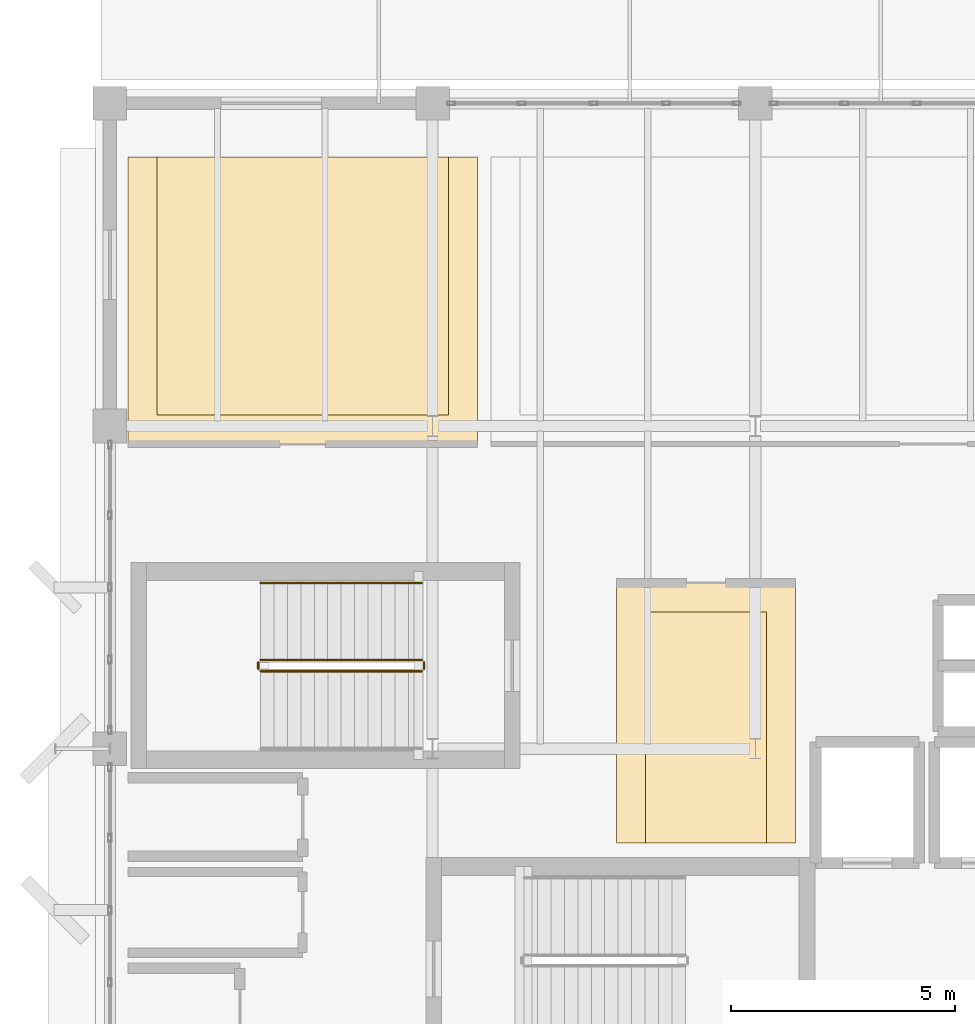
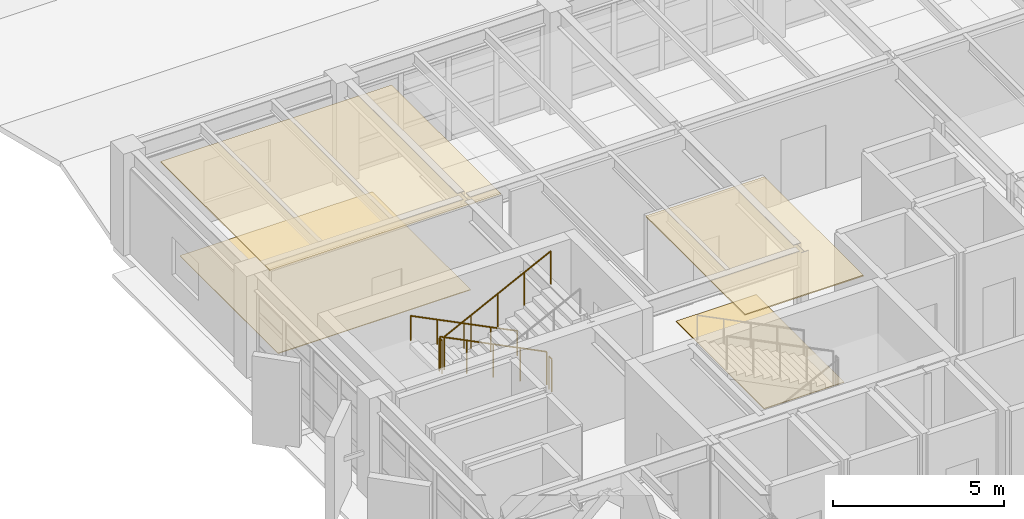
# One storey, part 45 of 48: 5 railings, 4 coverings.
"""IFC4 building model written with IfcOpenShell, lengths in metres."""

from ifc_helpers import new_model, si_unit, direction, frame, origin, origin_2d, place, context, subcontext, project, spatial, polyline, circle, outline, extrude, material, layer, layer_set, type_object, element, save


model = new_model("IFC4")

# Units and contexts
model_context = context("Model", 3, precision=1e-05, world=origin(), true_north=direction((0.0, 1.0)))
body_context = subcontext(model_context, "Body", "Model", "MODEL_VIEW")
ifc_project = project(units=[si_unit("LENGTHUNIT", "METRE"), si_unit("AREAUNIT", "SQUARE_METRE"), si_unit("VOLUMEUNIT", "CUBIC_METRE"), si_unit("PLANEANGLEUNIT", "RADIAN"), si_unit("MASSUNIT", "GRAM", prefix="KILO")], contexts=[model_context])

# Site, building, storey
site_placement = place(None, origin())
site = spatial("IfcSite", under=ifc_project, at=site_placement, CompositionType="ELEMENT")
building_placement = place(site_placement, origin())
building = spatial("IfcBuilding", under=site, at=building_placement, Name="Kandorven Conservatory and Botanical Research Centre", CompositionType="ELEMENT")
storey_placement = place(building_placement, frame((0.0, 0.0, 13.199951171875)))
storey = spatial("IfcBuildingStorey", under=building, at=storey_placement, Name="L03", CompositionType="ELEMENT", Elevation=13.199951171875)

# Coverings
ifc_material_1 = material(Name="Perforated mineral-fibre acoustic ceiling tile", Category="gypsum")
ifc_layer_1 = layer(ifc_material_1, 0.0400390625)
ifc_layer_set_1 = layer_set([ifc_layer_1], Name="Perforated mineral-fibre acoustic ceiling tile")
covering_type_1 = type_object("IfcCoveringType", Name="Cov_Ceiling_1", PredefinedType="CEILING", material=ifc_layer_set_1)
covering_1_placement = place(storey_placement, frame((0.0, 0.0, 3.574951171875)))
element("IfcCovering", 1, at=covering_1_placement, inside=storey, type_object=covering_type_1, Name="Suspended acoustic ceiling CLG-01 (Botanical Specimen Preparation Laboratory L03)", PredefinedType="CEILING", context=body_context, shape_type="SweptSolid", body=[
    extrude(outline(polyline([(17.300048828125, 18.300048828125), (21.300048828125, 18.300048828125), (21.300048828125, 24.10009765625), (17.300048828125, 24.10009765625), (17.300048828125, 18.300048828125)])), origin(), (0.0, 0.0, 1.0), 0.0400390625),
])
covering_2_placement = place(storey_placement, frame((0.0, 0.0, 3.574951171875)))
element("IfcCovering", 2, at=covering_2_placement, inside=storey, type_object=covering_type_1, Name="Suspended acoustic ceiling CLG-01 (Ethnobotany Field Specimen Studio L03)", PredefinedType="CEILING", context=body_context, shape_type="SweptSolid", body=[
    extrude(outline(polyline([(6.39990234375, 27.199951171875), (14.199951171875, 27.199951171875), (14.199951171875, 33.60009765625), (6.39990234375, 33.60009765625), (6.39990234375, 27.199951171875)])), origin(), (0.0, 0.0, 1.0), 0.0400390625),
])
ifc_material_2 = material(Name="Honed Kota stone and epoxy laboratory flooring", Category="masonry")
ifc_layer_2 = layer(ifc_material_2, 0.02490234375)
ifc_layer_set_2 = layer_set([ifc_layer_2], Name="Honed Kota stone and epoxy laboratory flooring")
covering_type_2 = type_object("IfcCoveringType", Name="Cov_Flooring_1", PredefinedType="FLOORING", material=ifc_layer_set_2)
covering_3_placement = place(storey_placement, origin())
element("IfcCovering", 3, at=covering_3_placement, inside=storey, type_object=covering_type_2, Name="Floor finish FLR-01 (Botanical Specimen Preparation Laboratory L03)", PredefinedType="FLOORING", context=body_context, shape_type="SweptSolid", body=[
    extrude(outline(polyline([(17.949951171875, 18.300048828125), (20.64990234375, 18.300048828125), (20.64990234375, 23.449951171875), (17.949951171875, 23.449951171875), (17.949951171875, 18.300048828125)])), origin(), (0.0, 0.0, 1.0), 0.025146484375),
])
covering_4_placement = place(storey_placement, origin())
element("IfcCovering", 4, at=covering_4_placement, inside=storey, type_object=covering_type_2, Name="Floor finish FLR-01 (Ethnobotany Field Specimen Studio L03)", PredefinedType="FLOORING", context=body_context, shape_type="SweptSolid", body=[
    extrude(outline(polyline([(7.050048828125, 27.85009765625), (13.550048828125, 27.85009765625), (13.550048828125, 33.60009765625), (7.050048828125, 33.60009765625), (7.050048828125, 27.85009765625)])), origin(), (0.0, 0.0, 1.0), 0.025146484375),
])

# Railings
ifc_material_3 = material(Name="Steel S355 (IS 2062 E350)", Category="steel")
railing_type_1 = type_object("IfcRailingType", Name="StairGuard_1150", PredefinedType="BALUSTRADE", material=ifc_material_3)
railing_1_placement = place(storey_placement, frame((12.9599609375, 22.3798828125, 0.150146484375)))
element("IfcRailing", 5, at=railing_1_placement, inside=storey, type_object=railing_type_1, Name="L03 ST-T2 stair guard 1", PredefinedType="BALUSTRADE", context=body_context, shape_type="SweptSolid", body=[
    extrude(circle(Radius=0.02392578125, at=origin_2d()), frame((0.0, 0.0, 1.17578125), z_axis=(-0.894439322774, 0.0, 0.447189331129), x_axis=(0.0, -1.0, 0.0)), (0.0, 0.0, 1.0), 4.024658203125),
    extrude(circle(Radius=0.02099609375, at=origin_2d()), origin(), (0.0, 0.0, 1.0), 1.15185546875),
    extrude(circle(Radius=0.02099609375, at=origin_2d()), frame((-0.89990234375, 0.0, 0.449951171875)), (0.0, 0.0, 1.0), 1.15185546875),
    extrude(circle(Radius=0.02099609375, at=origin_2d()), frame((-1.7998046875, 0.0, 0.89990234375)), (0.0, 0.0, 1.0), 1.15185546875),
    extrude(circle(Radius=0.02099609375, at=origin_2d()), frame((-2.699951171875, 0.0, 1.349853515625)), (0.0, 0.0, 1.0), 1.15185546875),
    extrude(circle(Radius=0.02099609375, at=origin_2d()), frame((-3.599853515625, 0.0, 1.7998046875)), (0.0, 0.0, 1.0), 1.15185546875),
])
railing_2_placement = place(storey_placement, frame((9.31005859375, 22.330078125, 1.949951171875)))
element("IfcRailing", 6, at=railing_2_placement, inside=storey, type_object=railing_type_1, Name="L03 ST-T2 stair guard 2", PredefinedType="BALUSTRADE", context=body_context, shape_type="SweptSolid", body=[
    extrude(circle(Radius=0.02392578125, at=origin_2d()), frame((0.0, 0.0, 1.17578125), z_axis=(0.0, -1.0, 0.0), x_axis=(1.0, 0.0, 0.0)), (0.0, 0.0, 1.0), 0.150146484375),
    extrude(circle(Radius=0.02099609375, at=origin_2d()), origin(), (0.0, 0.0, 1.0), 1.15185546875),
    extrude(circle(Radius=0.02099609375, at=origin_2d()), frame((0.0, -0.150146484375, 0.0)), (0.0, 0.0, 1.0), 1.15185546875),
])
railing_3_placement = place(storey_placement, frame((9.360107421875, 22.1298828125, 2.10009765625)))
element("IfcRailing", 7, at=railing_3_placement, inside=storey, type_object=railing_type_1, Name="L03 ST-T2 stair guard 3", PredefinedType="BALUSTRADE", context=body_context, shape_type="SweptSolid", body=[
    extrude(circle(Radius=0.02392578125, at=origin_2d()), frame((0.0, 0.0, 1.17578125), z_axis=(0.894415058897, 0.0, 0.447237858884), x_axis=(0.0, 1.0, 0.0)), (0.0, 0.0, 1.0), 4.02490234375),
    extrude(circle(Radius=0.02099609375, at=origin_2d()), origin(), (0.0, 0.0, 1.0), 1.15185546875),
    extrude(circle(Radius=0.02099609375, at=origin_2d()), frame((0.89990234375, 0.0, 0.449951171875)), (0.0, 0.0, 1.0), 1.15185546875),
    extrude(circle(Radius=0.02099609375, at=origin_2d()), frame((1.7998046875, 0.0, 0.89990234375)), (0.0, 0.0, 1.0), 1.15185546875),
    extrude(circle(Radius=0.02099609375, at=origin_2d()), frame((2.699951171875, 0.0, 1.35009765625)), (0.0, 0.0, 1.0), 1.15185546875),
    extrude(circle(Radius=0.02099609375, at=origin_2d()), frame((3.599853515625, 0.0, 1.800048828125)), (0.0, 0.0, 1.0), 1.15185546875),
])
railing_4_placement = place(storey_placement, frame((13.010009765625, 22.330078125, 0.0)))
element("IfcRailing", 8, at=railing_4_placement, inside=storey, type_object=railing_type_1, Name="L03 ST-T2 stair guard 4", PredefinedType="BALUSTRADE", context=body_context, shape_type="SweptSolid", body=[
    extrude(circle(Radius=0.02392578125, at=origin_2d()), frame((0.0, 0.0, 1.17578125), z_axis=(0.0, -1.0, 0.0), x_axis=(1.0, 0.0, 0.0)), (0.0, 0.0, 1.0), 0.150146484375),
    extrude(circle(Radius=0.02099609375, at=origin_2d()), origin(), (0.0, 0.0, 1.0), 1.15185546875),
    extrude(circle(Radius=0.02099609375, at=origin_2d()), frame((0.0, -0.150146484375, 0.0)), (0.0, 0.0, 1.0), 1.15185546875),
])
ifc_material_4 = material(Name="Steel S355 (IS 2062 E350)", Category="steel")
railing_type_2 = type_object("IfcRailingType", Name="StairHandrail_900", PredefinedType="HANDRAIL", material=ifc_material_4)
railing_5_placement = place(storey_placement, frame((12.9599609375, 24.10009765625, 0.150146484375)))
element("IfcRailing", 9, at=railing_5_placement, inside=storey, type_object=railing_type_2, Name="L03 ST-T2 stair handrail 1", PredefinedType="HANDRAIL", context=body_context, shape_type="SweptSolid", body=[
    extrude(circle(Radius=0.02392578125, at=origin_2d()), frame((0.0, 0.0, 0.8759765625), z_axis=(-0.894439322774, 0.0, 0.447189331129), x_axis=(0.0, -1.0, 0.0)), (0.0, 0.0, 1.0), 4.024658203125),
    extrude(circle(Radius=0.02099609375, at=origin_2d()), origin(), (0.0, 0.0, 1.0), 0.851806640625),
    extrude(circle(Radius=0.02099609375, at=origin_2d()), frame((-0.89990234375, 0.0, 0.449951171875)), (0.0, 0.0, 1.0), 0.851806640625),
    extrude(circle(Radius=0.02099609375, at=origin_2d()), frame((-1.7998046875, 0.0, 0.89990234375)), (0.0, 0.0, 1.0), 0.851806640625),
    extrude(circle(Radius=0.02099609375, at=origin_2d()), frame((-2.699951171875, 0.0, 1.349853515625)), (0.0, 0.0, 1.0), 0.851806640625),
    extrude(circle(Radius=0.02099609375, at=origin_2d()), frame((-3.599853515625, 0.0, 1.7998046875)), (0.0, 0.0, 1.0), 0.851806640625),
])

save(model, "model.ifc")
